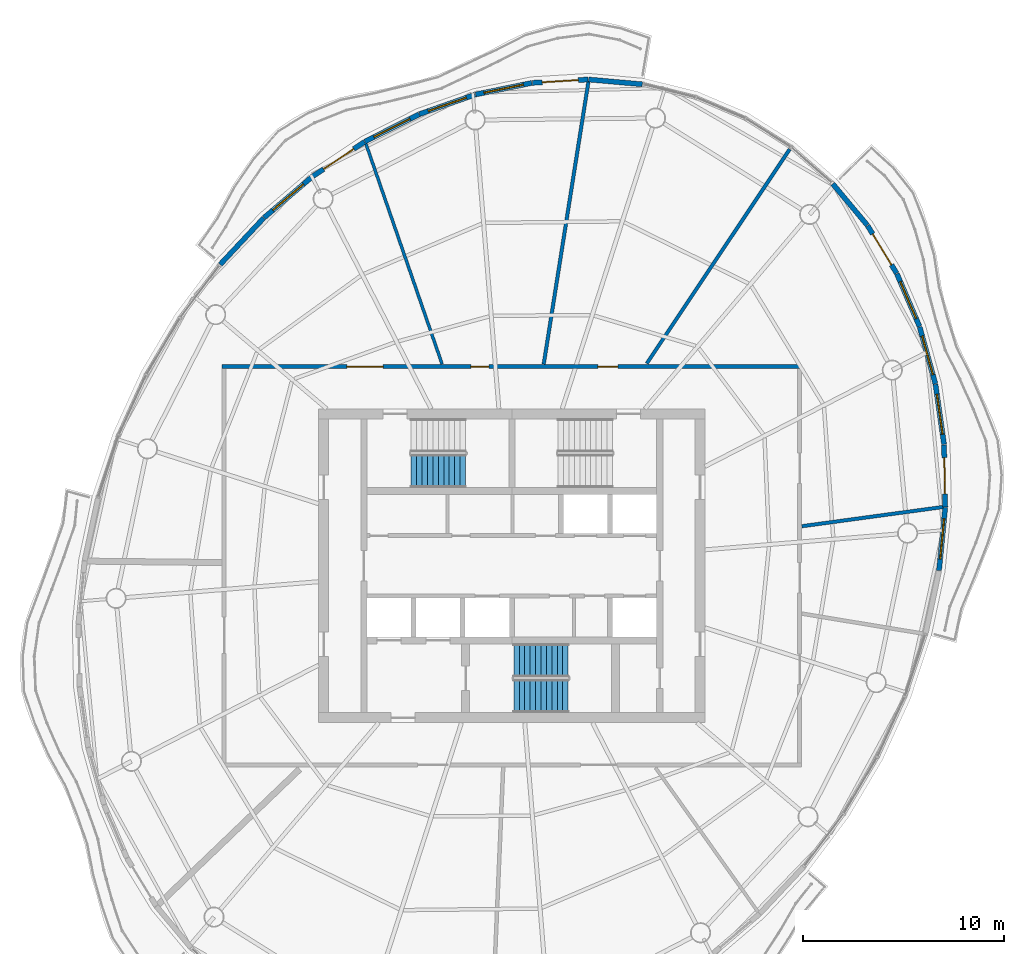
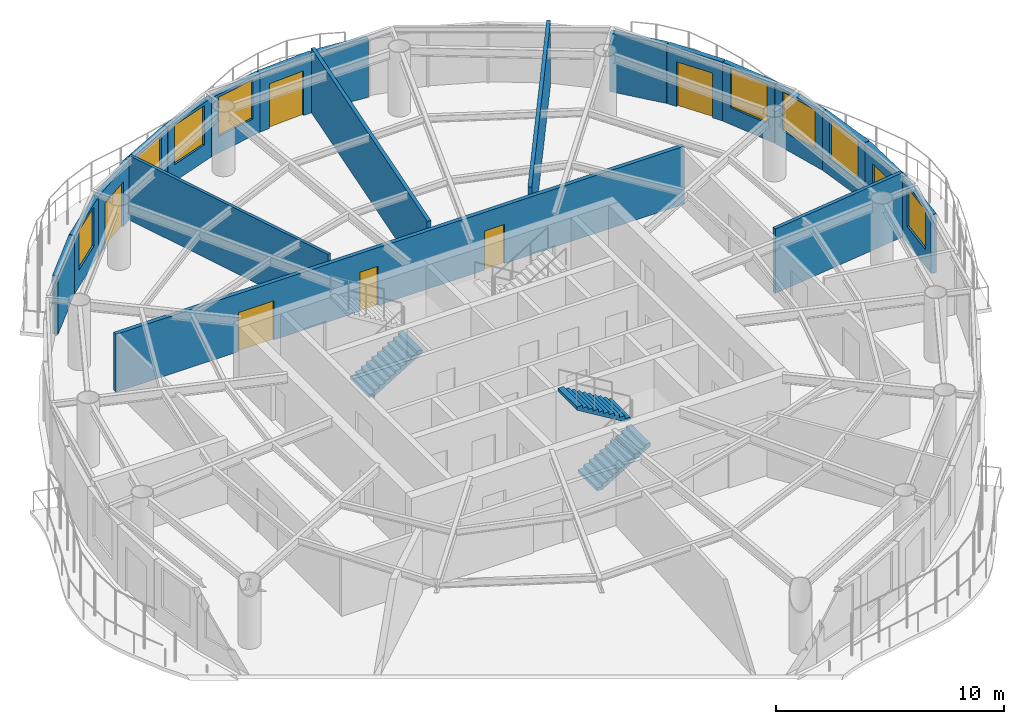
# One storey, part 9 of 13: 20 walls, 8 windows, 7 doors, 3 stair flights, 15 openings, 2 elements without a shape of their own.
"""IFC4 building model written with IfcOpenShell, lengths in metres."""

from ifc_helpers import new_model, si_unit, direction, frame, frame_2d, origin, place, context, subcontext, project, spatial, polyline, rectangle, outline, extrude, material, layer, layer_set, type_object, element, fill, aggregate, save


model = new_model("IFC4")

# Units and contexts
model_context = context("Model", 3, precision=1e-05, world=origin(), true_north=direction((0.0, 1.0)))
body_context = subcontext(model_context, "Body", "Model", "MODEL_VIEW")
ifc_project = project(units=[si_unit("LENGTHUNIT", "METRE"), si_unit("AREAUNIT", "SQUARE_METRE"), si_unit("VOLUMEUNIT", "CUBIC_METRE"), si_unit("PLANEANGLEUNIT", "RADIAN"), si_unit("MASSUNIT", "GRAM", prefix="KILO")], contexts=[model_context])

# Site, building, storey
site_placement = place(None, origin())
site = spatial("IfcSite", under=ifc_project, at=site_placement, CompositionType="ELEMENT")
building_placement = place(site_placement, origin())
building = spatial("IfcBuilding", under=site, at=building_placement, Name="Vermilion Reach Broadcast Tower", CompositionType="ELEMENT")
storey_placement = place(building_placement, frame((0.0, 0.0, 282.89990234375)))
storey = spatial("IfcBuildingStorey", under=building, at=storey_placement, Name="L70", CompositionType="ELEMENT", Elevation=282.89990234375)

# Walls
ifc_material_1 = material(Name="Lightweight concrete block, plastered", Category="concrete")
ifc_layer_1 = layer(ifc_material_1, 0.14990234375)
ifc_layer_set_1 = layer_set([ifc_layer_1], Name="Partition 150 lightweight block")
wall_type_1 = type_object("IfcWallType", Name="Partition 150 lightweight block", PredefinedType="PARTITIONING", material=ifc_layer_set_1)
wall_1_placement = place(storey_placement, frame((-13.248779296875, 20.96533203125, 0.0), z_axis=(0.0, 0.0, 1.0), x_axis=(0.32678024546, -0.945100349792, 0.0)))
element("IfcWall", 1, at=wall_1_placement, inside=storey, type_object=wall_type_1, Name="Partition 70.02", PredefinedType="PARTITIONING", context=body_context, shape_type="SweptSolid", body=[
    extrude(rectangle(XDim=11.576416015625, YDim=0.14990234375, at=frame_2d((5.7880859375, 0.0))), origin(), (0.0, 0.0, 1.0), 3.4501953125),
])
ifc_material_2 = material(Name="Fire-rated block, plastered")
ifc_layer_2 = layer(ifc_material_2, 0.175048828125)
ifc_layer_set_2 = layer_set([ifc_layer_2], Name="Partition 175 fire-rated block")
wall_type_2 = type_object("IfcWallType", Name="Partition 175 fire-rated block", PredefinedType="PARTITIONING", material=ifc_layer_set_2)
wall_2_placement = place(storey_placement, frame((-2.1962890625, 24.03759765625, 0.0), z_axis=(0.0, 0.0, 1.0), x_axis=(-0.156301629097, -0.987709370585, 0.0)))
element("IfcWall", 2, at=wall_2_placement, inside=storey, type_object=wall_type_2, Name="Partition 70.01", PredefinedType="PARTITIONING", context=body_context, shape_type="SweptSolid", body=[
    extrude(rectangle(XDim=14.198486328125, YDim=0.175048828125, at=frame_2d((7.09912109375, 0.0))), origin(), (0.0, 0.0, 1.0), 3.4501953125),
])
wall_3_placement = place(storey_placement, frame((15.412109375, 2.917724609375, 0.0), z_axis=(0.0, 0.0, 1.0), x_axis=(-0.99084383144, -0.135012968627, 0.0)))
element("IfcWall", 3, at=wall_3_placement, inside=storey, type_object=wall_type_2, Name="Partition 70.08", PredefinedType="PARTITIONING", context=body_context, shape_type="SweptSolid", body=[
    extrude(rectangle(XDim=7.06494140625, YDim=0.175048828125, at=frame_2d((3.532470703125, 0.0))), origin(), (0.0, 0.0, 1.0), 3.4501953125),
])
wall_4_placement = place(storey_placement, frame((7.806884765625, 20.697265625, 0.0), z_axis=(0.0, 0.0, 1.0), x_axis=(-0.55495104707, -0.83188300581, 0.0)))
element("IfcWall", 4, at=wall_4_placement, inside=storey, type_object=wall_type_2, Name="Partition 70.09", PredefinedType="PARTITIONING", context=body_context, shape_type="SweptSolid", body=[
    extrude(rectangle(XDim=12.80078125, YDim=0.175048828125, at=frame_2d((6.400390625, 0.0))), origin(), (0.0, 0.0, 1.0), 3.4501953125),
])
ifc_material_3 = material(Name="Terracotta rainscreen cladding", Category="masonry")
ifc_layer_3 = layer(ifc_material_3, 0.25)
ifc_layer_set_3 = layer_set([ifc_layer_3], Name="Terracotta rainscreen wall 250")
wall_type_3 = type_object("IfcWallType", Name="Terracotta rainscreen wall 250", PredefinedType="SOLIDWALL", material=ifc_layer_set_3)
wall_5_placement = place(storey_placement, frame((0.482177734375, 23.923828125, 0.0), z_axis=(0.0, 0.0, 1.0), x_axis=(-0.996046653752, 0.088831658488, 0.0)))
element("IfcWall", 5, at=wall_5_placement, inside=storey, type_object=wall_type_3, Name="External wall L70 02", PredefinedType="SOLIDWALL", context=body_context, shape_type="SweptSolid", body=[
    extrude(rectangle(XDim=2.674072265625, YDim=0.25, at=frame_2d((1.3369140625, 0.0))), origin(), (0.0, 0.0, 1.0), 3.150146484375),
])

# Wall, opening, door
wall_6_placement = place(storey_placement, frame((-2.207763671875, 24.161865234375, 0.0), z_axis=(0.0, 0.0, 1.0), x_axis=(-0.998195899902, -0.060041197678, 0.0)))
wall_6 = element("IfcWall", 6, at=wall_6_placement, inside=storey, type_object=wall_type_3, Name="External wall L70 03", PredefinedType="SOLIDWALL", context=body_context, shape_type="SweptSolid", body=[
    extrude(rectangle(XDim=2.77734375, YDim=0.25, at=frame_2d((1.388671875, 0.0))), origin(), (0.0, 0.0, 1.0), 3.150146484375),
])
opening_1_placement = place(wall_6_placement, frame((0.489013671875, 0.0, 0.0)))
opening_1 = element("IfcOpeningElement", 7, at=opening_1_placement, cuts=wall_6, Name="Opening D70", PredefinedType="OPENING", context=body_context, shape_type="SweptSolid", body=[
    extrude(rectangle(XDim=1.800048828125, YDim=2.39990234375, at=frame_2d((0.89990234375, 1.199951171875))), frame((0.0, 0.135009765625, 0.0), z_axis=(0.0, -1.0, 0.0), x_axis=(1.0, 0.0, 0.0)), (0.0, 0.0, 1.0), 0.27001953125),
])
ifc_material_4 = material(Name="Low-e laminated clear glass in aluminium frame", Category="aluminium")
door_type_1 = type_object("IfcDoorType", Name="Balcony sliding door 1800 x 2400", OperationType="DOUBLE_DOOR_SLIDING", PredefinedType="DOOR", material=ifc_material_4)
door_1_placement = place(opening_1_placement, origin())
door_1 = element("IfcDoor", 8, at=door_1_placement, inside=storey, type_object=door_type_1, Name="Balcony door L70 run 01", OperationType="DOUBLE_DOOR_SLIDING", OverallHeight=2.39990234375, OverallWidth=1.800048828125, PredefinedType="DOOR", context=body_context, shape_type="SweptSolid", body=[
    extrude(rectangle(XDim=1.800048828125, YDim=2.39990234375, at=frame_2d((0.89990234375, 1.199951171875))), frame((0.0, 0.02490234375, 0.0), z_axis=(0.0, -1.0, 0.0), x_axis=(1.0, 0.0, 0.0)), (0.0, 0.0, 1.0), 0.050048828125),
])
fill(opening_1, door_1)

# Wall, opening, window
wall_7_placement = place(storey_placement, frame((-5.005615234375, 23.991943359375, 0.0), z_axis=(0.0, 0.0, 1.0), x_axis=(-0.979580220635, -0.201053702627, 0.0)))
wall_7 = element("IfcWall", 9, at=wall_7_placement, inside=storey, type_object=wall_type_3, Name="External wall L70 04", PredefinedType="SOLIDWALL", context=body_context, shape_type="SweptSolid", body=[
    extrude(rectangle(XDim=2.85107421875, YDim=0.25, at=frame_2d((1.425537109375, 0.0))), origin(), (0.0, 0.0, 1.0), 3.150146484375),
])
opening_2_placement = place(wall_7_placement, frame((0.425537109375, 0.0, 0.89990234375)))
opening_2 = element("IfcOpeningElement", 10, at=opening_2_placement, cuts=wall_7, Name="Opening W03", PredefinedType="OPENING", context=body_context, shape_type="SweptSolid", body=[
    extrude(rectangle(XDim=2.0, YDim=2.10009765625, at=frame_2d((1.0, 1.050048828125))), frame((0.0, 0.135009765625, 0.0), z_axis=(0.0, -1.0, 0.0), x_axis=(1.0, 0.0, 0.0)), (0.0, 0.0, 1.0), 0.27001953125),
])
ifc_material_5 = material(Name="Low-e laminated clear glass in aluminium frame", Category="aluminium")
window_type = type_object("IfcWindowType", Name="Punched window 2000 x 2100 sill 900", PartitioningType="SINGLE_PANEL", PredefinedType="WINDOW", material=ifc_material_5)
window_1_placement = place(opening_2_placement, origin())
window_1 = element("IfcWindow", 11, at=window_1_placement, inside=storey, type_object=window_type, Name="Window L70 04", OverallHeight=2.10009765625, OverallWidth=2.0, PartitioningType="SINGLE_PANEL", PredefinedType="WINDOW", context=body_context, shape_type="SweptSolid", body=[
    extrude(rectangle(XDim=2.0, YDim=2.10009765625, at=frame_2d((1.0, 1.050048828125))), frame((0.0, 0.030029296875, 0.0), z_axis=(0.0, -1.0, 0.0), x_axis=(1.0, 0.0, 0.0)), (0.0, 0.0, 1.0), 0.06005859375),
])
fill(opening_2, window_1)

wall_8_placement = place(storey_placement, frame((-7.822509765625, 23.412109375, 0.0), z_axis=(0.0, 0.0, 1.0), x_axis=(-0.943550214261, -0.331229517355, 0.0)))
wall_8 = element("IfcWall", 12, at=wall_8_placement, inside=storey, type_object=wall_type_3, Name="External wall L70 05", PredefinedType="SOLIDWALL", context=body_context, shape_type="SweptSolid", body=[
    extrude(rectangle(XDim=2.931396484375, YDim=0.25, at=frame_2d((1.4658203125, 0.0))), origin(), (0.0, 0.0, 1.0), 3.150146484375),
])
opening_3_placement = place(wall_8_placement, frame((0.465576171875, 0.0, 0.89990234375)))
opening_3 = element("IfcOpeningElement", 13, at=opening_3_placement, cuts=wall_8, Name="Opening W03", PredefinedType="OPENING", context=body_context, shape_type="SweptSolid", body=[
    extrude(rectangle(XDim=2.0, YDim=2.10009765625, at=frame_2d((1.0, 1.050048828125))), frame((0.0, 0.135009765625, 0.0), z_axis=(0.0, -1.0, 0.0), x_axis=(1.0, 0.0, 0.0)), (0.0, 0.0, 1.0), 0.27001953125),
])
window_2_placement = place(opening_3_placement, origin())
window_2 = element("IfcWindow", 14, at=window_2_placement, inside=storey, type_object=window_type, Name="Window L70 05", OverallHeight=2.10009765625, OverallWidth=2.0, PartitioningType="SINGLE_PANEL", PredefinedType="WINDOW", context=body_context, shape_type="SweptSolid", body=[
    extrude(rectangle(XDim=2.0, YDim=2.10009765625, at=frame_2d((1.0, 1.050048828125))), frame((0.0, 0.030029296875, 0.0), z_axis=(0.0, -1.0, 0.0), x_axis=(1.0, 0.0, 0.0)), (0.0, 0.0, 1.0), 0.06005859375),
])
fill(opening_3, window_2)

wall_9_placement = place(storey_placement, frame((-10.6103515625, 22.431884765625, 0.0), z_axis=(0.0, 0.0, 1.0), x_axis=(-0.893387281144, -0.449287397875, 0.0)))
wall_9 = element("IfcWall", 15, at=wall_9_placement, inside=storey, type_object=wall_type_3, Name="External wall L70 06", PredefinedType="SOLIDWALL", context=body_context, shape_type="SweptSolid", body=[
    extrude(rectangle(XDim=3.011962890625, YDim=0.25, at=frame_2d((1.505859375, 0.0))), origin(), (0.0, 0.0, 1.0), 3.150146484375),
])
opening_4_placement = place(wall_9_placement, frame((0.505859375, 0.0, 0.89990234375)))
opening_4 = element("IfcOpeningElement", 16, at=opening_4_placement, cuts=wall_9, Name="Opening W03", PredefinedType="OPENING", context=body_context, shape_type="SweptSolid", body=[
    extrude(rectangle(XDim=2.0, YDim=2.10009765625, at=frame_2d((1.0, 1.050048828125))), frame((0.0, 0.135009765625, 0.0), z_axis=(0.0, -1.0, 0.0), x_axis=(1.0, 0.0, 0.0)), (0.0, 0.0, 1.0), 0.27001953125),
])
window_3_placement = place(opening_4_placement, origin())
window_3 = element("IfcWindow", 17, at=window_3_placement, inside=storey, type_object=window_type, Name="Window L70 06", OverallHeight=2.10009765625, OverallWidth=2.0, PartitioningType="SINGLE_PANEL", PredefinedType="WINDOW", context=body_context, shape_type="SweptSolid", body=[
    extrude(rectangle(XDim=2.0, YDim=2.10009765625, at=frame_2d((1.0, 1.050048828125))), frame((0.0, 0.030029296875, 0.0), z_axis=(0.0, -1.0, 0.0), x_axis=(1.0, 0.0, 0.0)), (0.0, 0.0, 1.0), 0.06005859375),
])
fill(opening_4, window_3)

# Wall, opening, door
wall_10_placement = place(storey_placement, frame((-13.3212890625, 21.06689453125, 0.0), z_axis=(0.0, 0.0, 1.0), x_axis=(-0.831965133189, -0.554827916707, 0.0)))
wall_10 = element("IfcWall", 18, at=wall_10_placement, inside=storey, type_object=wall_type_3, Name="External wall L70 07", PredefinedType="SOLIDWALL", context=body_context, shape_type="SweptSolid", body=[
    extrude(rectangle(XDim=3.087646484375, YDim=0.25, at=frame_2d((1.5439453125, 0.0))), origin(), (0.0, 0.0, 1.0), 3.150146484375),
])
opening_5_placement = place(wall_10_placement, frame((0.64404296875, 0.0, 0.0)))
opening_5 = element("IfcOpeningElement", 19, at=opening_5_placement, cuts=wall_10, Name="Opening D70", PredefinedType="OPENING", context=body_context, shape_type="SweptSolid", body=[
    extrude(rectangle(XDim=1.800048828125, YDim=2.39990234375, at=frame_2d((0.89990234375, 1.199951171875))), frame((0.0, 0.135009765625, 0.0), z_axis=(0.0, -1.0, 0.0), x_axis=(1.0, 0.0, 0.0)), (0.0, 0.0, 1.0), 0.27001953125),
])
door_2_placement = place(opening_5_placement, origin())
door_2 = element("IfcDoor", 20, at=door_2_placement, inside=storey, type_object=door_type_1, Name="Balcony door L70 run 02", OperationType="DOUBLE_DOOR_SLIDING", OverallHeight=2.39990234375, OverallWidth=1.800048828125, PredefinedType="DOOR", context=body_context, shape_type="SweptSolid", body=[
    extrude(rectangle(XDim=1.800048828125, YDim=2.39990234375, at=frame_2d((0.89990234375, 1.199951171875))), frame((0.0, 0.02490234375, 0.0), z_axis=(0.0, -1.0, 0.0), x_axis=(1.0, 0.0, 0.0)), (0.0, 0.0, 1.0), 0.050048828125),
])
fill(opening_5, door_2)

# Wall, opening, window
wall_11_placement = place(storey_placement, frame((-15.908203125, 19.340087890625, 0.0), z_axis=(0.0, 0.0, 1.0), x_axis=(-0.761601165005, -0.64804603653, 0.0)))
wall_11 = element("IfcWall", 21, at=wall_11_placement, inside=storey, type_object=wall_type_3, Name="External wall L70 08", PredefinedType="SOLIDWALL", context=body_context, shape_type="SweptSolid", body=[
    extrude(rectangle(XDim=3.154052734375, YDim=0.25, at=frame_2d((1.5771484375, 0.0))), origin(), (0.0, 0.0, 1.0), 3.150146484375),
])
opening_6_placement = place(wall_11_placement, frame((0.5771484375, 0.0, 0.89990234375)))
opening_6 = element("IfcOpeningElement", 22, at=opening_6_placement, cuts=wall_11, Name="Opening W03", PredefinedType="OPENING", context=body_context, shape_type="SweptSolid", body=[
    extrude(rectangle(XDim=2.0, YDim=2.10009765625, at=frame_2d((1.0, 1.050048828125))), frame((0.0, 0.135009765625, 0.0), z_axis=(0.0, -1.0, 0.0), x_axis=(1.0, 0.0, 0.0)), (0.0, 0.0, 1.0), 0.27001953125),
])
window_4_placement = place(opening_6_placement, origin())
window_4 = element("IfcWindow", 23, at=window_4_placement, inside=storey, type_object=window_type, Name="Window L70 08", OverallHeight=2.10009765625, OverallWidth=2.0, PartitioningType="SINGLE_PANEL", PredefinedType="WINDOW", context=body_context, shape_type="SweptSolid", body=[
    extrude(rectangle(XDim=2.0, YDim=2.10009765625, at=frame_2d((1.0, 1.050048828125))), frame((0.0, 0.030029296875, 0.0), z_axis=(0.0, -1.0, 0.0), x_axis=(1.0, 0.0, 0.0)), (0.0, 0.0, 1.0), 0.06005859375),
])
fill(opening_6, window_4)

# Wall
wall_12_placement = place(storey_placement, frame((-18.326416015625, 17.281005859375, 0.0), z_axis=(0.0, 0.0, 1.0), x_axis=(-0.683771659003, -0.729696045176, 0.0)))
element("IfcWall", 24, at=wall_12_placement, inside=storey, type_object=wall_type_3, Name="External wall L70 09", PredefinedType="SOLIDWALL", context=body_context, shape_type="SweptSolid", body=[
    extrude(rectangle(XDim=3.1630859375, YDim=0.25, at=frame_2d((1.58154296875, 0.0))), origin(), (0.0, 0.0, 1.0), 3.150146484375),
])

# Wall, opening, window
wall_13_placement = place(storey_placement, frame((15.228271484375, -0.237548828125, 0.0), z_axis=(0.0, 0.0, 1.0), x_axis=(0.097526326892, 0.995232945377, 0.0)))
wall_13 = element("IfcWall", 25, at=wall_13_placement, inside=storey, type_object=wall_type_3, Name="External wall L70 39", PredefinedType="SOLIDWALL", context=body_context, shape_type="SweptSolid", body=[
    extrude(rectangle(XDim=3.154296875, YDim=0.25, at=frame_2d((1.5771484375, 0.0))), origin(), (0.0, 0.0, 1.0), 3.150146484375),
])
opening_7_placement = place(wall_13_placement, frame((0.5771484375, 0.0, 0.89990234375)))
opening_7 = element("IfcOpeningElement", 26, at=opening_7_placement, cuts=wall_13, Name="Opening W03", PredefinedType="OPENING", context=body_context, shape_type="SweptSolid", body=[
    extrude(rectangle(XDim=2.0, YDim=2.10009765625, at=frame_2d((1.0, 1.050048828125))), frame((0.0, 0.135009765625, 0.0), z_axis=(0.0, -1.0, 0.0), x_axis=(1.0, 0.0, 0.0)), (0.0, 0.0, 1.0), 0.27001953125),
])
window_5_placement = place(opening_7_placement, origin())
window_5 = element("IfcWindow", 27, at=window_5_placement, inside=storey, type_object=window_type, Name="Window L70 39", OverallHeight=2.10009765625, OverallWidth=2.0, PartitioningType="SINGLE_PANEL", PredefinedType="WINDOW", context=body_context, shape_type="SweptSolid", body=[
    extrude(rectangle(XDim=2.0, YDim=2.10009765625, at=frame_2d((1.0, 1.050048828125))), frame((0.0, 0.030029296875, 0.0), z_axis=(0.0, -1.0, 0.0), x_axis=(1.0, 0.0, 0.0)), (0.0, 0.0, 1.0), 0.06005859375),
])
fill(opening_7, window_5)

# Wall, opening, door
wall_14_placement = place(storey_placement, frame((15.536865234375, 2.924072265625, 0.0), z_axis=(0.0, 0.0, 1.0), x_axis=(-0.019213534435, 0.999815403009, 0.0)))
wall_14 = element("IfcWall", 28, at=wall_14_placement, inside=storey, type_object=wall_type_3, Name="External wall L70 40", PredefinedType="SOLIDWALL", context=body_context, shape_type="SweptSolid", body=[
    extrude(rectangle(XDim=3.087646484375, YDim=0.25, at=frame_2d((1.5439453125, 0.0))), origin(), (0.0, 0.0, 1.0), 3.150146484375),
])
opening_8_placement = place(wall_14_placement, frame((0.64404296875, 0.0, 0.0)))
opening_8 = element("IfcOpeningElement", 29, at=opening_8_placement, cuts=wall_14, Name="Opening D70", PredefinedType="OPENING", context=body_context, shape_type="SweptSolid", body=[
    extrude(rectangle(XDim=1.800048828125, YDim=2.39990234375, at=frame_2d((0.89990234375, 1.199951171875))), frame((0.0, 0.135009765625, 0.0), z_axis=(0.0, -1.0, 0.0), x_axis=(1.0, 0.0, 0.0)), (0.0, 0.0, 1.0), 0.27001953125),
])
door_3_placement = place(opening_8_placement, origin())
door_3 = element("IfcDoor", 30, at=door_3_placement, inside=storey, type_object=door_type_1, Name="Balcony door L70 run 10", OperationType="DOUBLE_DOOR_SLIDING", OverallHeight=2.39990234375, OverallWidth=1.800048828125, PredefinedType="DOOR", context=body_context, shape_type="SweptSolid", body=[
    extrude(rectangle(XDim=1.800048828125, YDim=2.39990234375, at=frame_2d((0.89990234375, 1.199951171875))), frame((0.0, 0.02490234375, 0.0), z_axis=(0.0, -1.0, 0.0), x_axis=(1.0, 0.0, 0.0)), (0.0, 0.0, 1.0), 0.050048828125),
])
fill(opening_8, door_3)

# Wall, opening, window
wall_15_placement = place(storey_placement, frame((15.4755859375, 6.034423828125, 0.0), z_axis=(0.0, 0.0, 1.0), x_axis=(-0.140956080181, 0.990015850105, 0.0)))
wall_15 = element("IfcWall", 31, at=wall_15_placement, inside=storey, type_object=wall_type_3, Name="External wall L70 41", PredefinedType="SOLIDWALL", context=body_context, shape_type="SweptSolid", body=[
    extrude(rectangle(XDim=3.011962890625, YDim=0.25, at=frame_2d((1.505859375, 0.0))), origin(), (0.0, 0.0, 1.0), 3.150146484375),
])
opening_9_placement = place(wall_15_placement, frame((0.505859375, 0.0, 0.89990234375)))
opening_9 = element("IfcOpeningElement", 32, at=opening_9_placement, cuts=wall_15, Name="Opening W03", PredefinedType="OPENING", context=body_context, shape_type="SweptSolid", body=[
    extrude(rectangle(XDim=2.0, YDim=2.10009765625, at=frame_2d((1.0, 1.050048828125))), frame((0.0, 0.135009765625, 0.0), z_axis=(0.0, -1.0, 0.0), x_axis=(1.0, 0.0, 0.0)), (0.0, 0.0, 1.0), 0.27001953125),
])
window_6_placement = place(opening_9_placement, origin())
window_6 = element("IfcWindow", 33, at=window_6_placement, inside=storey, type_object=window_type, Name="Window L70 41", OverallHeight=2.10009765625, OverallWidth=2.0, PartitioningType="SINGLE_PANEL", PredefinedType="WINDOW", context=body_context, shape_type="SweptSolid", body=[
    extrude(rectangle(XDim=2.0, YDim=2.10009765625, at=frame_2d((1.0, 1.050048828125))), frame((0.0, 0.030029296875, 0.0), z_axis=(0.0, -1.0, 0.0), x_axis=(1.0, 0.0, 0.0)), (0.0, 0.0, 1.0), 0.06005859375),
])
fill(opening_9, window_6)

wall_16_placement = place(storey_placement, frame((15.046142578125, 9.039794921875, 0.0), z_axis=(0.0, 0.0, 1.0), x_axis=(-0.266526791612, 0.963827510166, 0.0)))
wall_16 = element("IfcWall", 34, at=wall_16_placement, inside=storey, type_object=wall_type_3, Name="External wall L70 42", PredefinedType="SOLIDWALL", context=body_context, shape_type="SweptSolid", body=[
    extrude(rectangle(XDim=2.93115234375, YDim=0.25, at=frame_2d((1.465576171875, 0.0))), origin(), (0.0, 0.0, 1.0), 3.150146484375),
])
opening_10_placement = place(wall_16_placement, frame((0.465576171875, 0.0, 0.89990234375)))
opening_10 = element("IfcOpeningElement", 35, at=opening_10_placement, cuts=wall_16, Name="Opening W03", PredefinedType="OPENING", context=body_context, shape_type="SweptSolid", body=[
    extrude(rectangle(XDim=2.0, YDim=2.10009765625, at=frame_2d((1.0, 1.050048828125))), frame((0.0, 0.135009765625, 0.0), z_axis=(0.0, -1.0, 0.0), x_axis=(1.0, 0.0, 0.0)), (0.0, 0.0, 1.0), 0.27001953125),
])
window_7_placement = place(opening_10_placement, origin())
window_7 = element("IfcWindow", 36, at=window_7_placement, inside=storey, type_object=window_type, Name="Window L70 42", OverallHeight=2.10009765625, OverallWidth=2.0, PartitioningType="SINGLE_PANEL", PredefinedType="WINDOW", context=body_context, shape_type="SweptSolid", body=[
    extrude(rectangle(XDim=2.0, YDim=2.10009765625, at=frame_2d((1.0, 1.050048828125))), frame((0.0, 0.030029296875, 0.0), z_axis=(0.0, -1.0, 0.0), x_axis=(1.0, 0.0, 0.0)), (0.0, 0.0, 1.0), 0.06005859375),
])
fill(opening_10, window_7)

wall_17_placement = place(storey_placement, frame((14.2568359375, 11.888427734375, 0.0), z_axis=(0.0, 0.0, 1.0), x_axis=(-0.394043302687, 0.919091875499, 0.0)))
wall_17 = element("IfcWall", 37, at=wall_17_placement, inside=storey, type_object=wall_type_3, Name="External wall L70 43", PredefinedType="SOLIDWALL", context=body_context, shape_type="SweptSolid", body=[
    extrude(rectangle(XDim=2.851318359375, YDim=0.25, at=frame_2d((1.42578125, 0.0))), origin(), (0.0, 0.0, 1.0), 3.150146484375),
])
opening_11_placement = place(wall_17_placement, frame((0.425537109375, 0.0, 0.89990234375)))
opening_11 = element("IfcOpeningElement", 38, at=opening_11_placement, cuts=wall_17, Name="Opening W03", PredefinedType="OPENING", context=body_context, shape_type="SweptSolid", body=[
    extrude(rectangle(XDim=2.0, YDim=2.10009765625, at=frame_2d((1.0, 1.050048828125))), frame((0.0, 0.135009765625, 0.0), z_axis=(0.0, -1.0, 0.0), x_axis=(1.0, 0.0, 0.0)), (0.0, 0.0, 1.0), 0.27001953125),
])
window_8_placement = place(opening_11_placement, origin())
window_8 = element("IfcWindow", 39, at=window_8_placement, inside=storey, type_object=window_type, Name="Window L70 43", OverallHeight=2.10009765625, OverallWidth=2.0, PartitioningType="SINGLE_PANEL", PredefinedType="WINDOW", context=body_context, shape_type="SweptSolid", body=[
    extrude(rectangle(XDim=2.0, YDim=2.10009765625, at=frame_2d((1.0, 1.050048828125))), frame((0.0, 0.030029296875, 0.0), z_axis=(0.0, -1.0, 0.0), x_axis=(1.0, 0.0, 0.0)), (0.0, 0.0, 1.0), 0.06005859375),
])
fill(opening_11, window_8)

# Wall, opening, door
wall_18_placement = place(storey_placement, frame((13.12158203125, 14.531982421875, 0.0), z_axis=(0.0, 0.0, 1.0), x_axis=(-0.520443293114, 0.853896234125, 0.0)))
wall_18 = element("IfcWall", 40, at=wall_18_placement, inside=storey, type_object=wall_type_3, Name="External wall L70 44", PredefinedType="SOLIDWALL", context=body_context, shape_type="SweptSolid", body=[
    extrude(rectangle(XDim=2.777099609375, YDim=0.25, at=frame_2d((1.388671875, 0.0))), origin(), (0.0, 0.0, 1.0), 3.150146484375),
])
opening_12_placement = place(wall_18_placement, frame((0.489013671875, 0.0, 0.0)))
opening_12 = element("IfcOpeningElement", 41, at=opening_12_placement, cuts=wall_18, Name="Opening D70", PredefinedType="OPENING", context=body_context, shape_type="SweptSolid", body=[
    extrude(rectangle(XDim=1.800048828125, YDim=2.39990234375, at=frame_2d((0.89990234375, 1.199951171875))), frame((0.0, 0.135009765625, 0.0), z_axis=(0.0, -1.0, 0.0), x_axis=(1.0, 0.0, 0.0)), (0.0, 0.0, 1.0), 0.27001953125),
])
door_4_placement = place(opening_12_placement, origin())
door_4 = element("IfcDoor", 42, at=door_4_placement, inside=storey, type_object=door_type_1, Name="Balcony door L70 run 11", OperationType="DOUBLE_DOOR_SLIDING", OverallHeight=2.39990234375, OverallWidth=1.800048828125, PredefinedType="DOOR", context=body_context, shape_type="SweptSolid", body=[
    extrude(rectangle(XDim=1.800048828125, YDim=2.39990234375, at=frame_2d((0.89990234375, 1.199951171875))), frame((0.0, 0.02490234375, 0.0), z_axis=(0.0, -1.0, 0.0), x_axis=(1.0, 0.0, 0.0)), (0.0, 0.0, 1.0), 0.050048828125),
])
fill(opening_12, door_4)

# Wall
wall_19_placement = place(storey_placement, frame((11.660888671875, 16.925048828125, 0.0), z_axis=(0.0, 0.0, 1.0), x_axis=(-0.641449708793, 0.767165087246, 0.0)))
element("IfcWall", 43, at=wall_19_placement, inside=storey, type_object=wall_type_3, Name="External wall L70 45", PredefinedType="SOLIDWALL", context=body_context, shape_type="SweptSolid", body=[
    extrude(rectangle(XDim=2.674072265625, YDim=0.25, at=frame_2d((1.3369140625, 0.0))), origin(), (0.0, 0.0, 1.0), 3.150146484375),
])

# Wall, openings, doors
ifc_material_6 = material(Name="Fire-rated gypsum board partition")
ifc_layer_4 = layer(ifc_material_6, 0.199951171875)
ifc_layer_set_4 = layer_set([ifc_layer_4], Name="Under girder: Corridor wall 200 fire-rated")
wall_type_4 = type_object("IfcWallType", Name="Under girder: Corridor wall 200 fire-rated", PredefinedType="PARTITIONING", material=ifc_layer_set_4)
wall_20_placement = place(storey_placement, frame((-20.39990234375, 9.89990234375, 0.0), z_axis=(0.0, 0.0, 1.0), x_axis=(1.0, 0.0, 0.0)))
wall_20 = element("IfcWall", 44, at=wall_20_placement, inside=storey, type_object=wall_type_4, Name="Corridor wall 70.N", PredefinedType="PARTITIONING", context=body_context, shape_type="SweptSolid", body=[
    extrude(rectangle(XDim=28.7998046875, YDim=0.199951171875, at=frame_2d((14.39990234375, 0.0))), origin(), (0.0, 0.0, 1.0), 3.10009765625),
])
opening_13_placement = place(wall_20_placement, frame((12.359619140625, 0.0, 0.0)))
opening_13 = element("IfcOpeningElement", 45, at=opening_13_placement, cuts=wall_20, Name="Opening D22", PredefinedType="OPENING", context=body_context, shape_type="SweptSolid", body=[
    extrude(rectangle(XDim=0.89990234375, YDim=2.10009765625, at=frame_2d((0.449951171875, 1.050048828125))), frame((0.0, 0.10986328125, 0.0), z_axis=(0.0, -1.0, 0.0), x_axis=(1.0, 0.0, 0.0)), (0.0, 0.0, 1.0), 0.219970703125),
])
opening_14_placement = place(wall_20_placement, frame((6.19970703125, 0.0, 0.0)))
opening_14 = element("IfcOpeningElement", 46, at=opening_14_placement, cuts=wall_20, Name="Opening D21", PredefinedType="OPENING", context=body_context, shape_type="SweptSolid", body=[
    extrude(rectangle(XDim=1.800048828125, YDim=2.10009765625, at=frame_2d((0.89990234375, 1.050048828125))), frame((0.0, 0.10986328125, 0.0), z_axis=(0.0, -1.0, 0.0), x_axis=(1.0, 0.0, 0.0)), (0.0, 0.0, 1.0), 0.219970703125),
])
opening_15_placement = place(wall_20_placement, frame((18.66943359375, 0.0, 0.0)))
opening_15 = element("IfcOpeningElement", 47, at=opening_15_placement, cuts=wall_20, Name="Opening D20", PredefinedType="OPENING", context=body_context, shape_type="SweptSolid", body=[
    extrude(rectangle(XDim=1.0, YDim=2.10009765625, at=frame_2d((0.5, 1.050048828125))), frame((0.0, 0.10986328125, 0.0), z_axis=(0.0, -1.0, 0.0), x_axis=(1.0, 0.0, 0.0)), (0.0, 0.0, 1.0), 0.219970703125),
])
ifc_material_7 = material(Name="Timber door leaf", Category="wood")
door_type_2 = type_object("IfcDoorType", Name="Door pair 1800x2100", OperationType="NOTDEFINED", PredefinedType="DOOR", material=ifc_material_7)
door_5_placement = place(opening_14_placement, origin())
door_5 = element("IfcDoor", 48, at=door_5_placement, inside=storey, type_object=door_type_2, Name="Door 70.02", OperationType="DOUBLE_DOOR_SINGLE_SWING", OverallHeight=2.10009765625, OverallWidth=1.800048828125, PredefinedType="DOOR", context=body_context, shape_type="SweptSolid", body=[
    extrude(rectangle(XDim=1.800048828125, YDim=2.10009765625, at=frame_2d((0.89990234375, 1.050048828125))), frame((0.0, 0.02490234375, 0.0), z_axis=(0.0, -1.0, 0.0), x_axis=(1.0, 0.0, 0.0)), (0.0, 0.0, 1.0), 0.050048828125),
])
fill(opening_14, door_5)
ifc_material_8 = material(Name="Timber door leaf", Category="wood")
door_type_3 = type_object("IfcDoorType", Name="Door single 1000x2100", OperationType="NOTDEFINED", PredefinedType="DOOR", material=ifc_material_8)
door_6_placement = place(opening_15_placement, origin())
door_6 = element("IfcDoor", 49, at=door_6_placement, inside=storey, type_object=door_type_3, Name="Door 70.09", OperationType="SINGLE_SWING_RIGHT", OverallHeight=2.10009765625, OverallWidth=1.0, PredefinedType="DOOR", context=body_context, shape_type="SweptSolid", body=[
    extrude(rectangle(XDim=1.0, YDim=2.10009765625, at=frame_2d((0.5, 1.050048828125))), frame((0.0, 0.02490234375, 0.0), z_axis=(0.0, -1.0, 0.0), x_axis=(1.0, 0.0, 0.0)), (0.0, 0.0, 1.0), 0.050048828125),
])
fill(opening_15, door_6)
ifc_material_9 = material(Name="Timber door leaf", Category="wood")
door_type_4 = type_object("IfcDoorType", Name="Door single 900x2100", OperationType="NOTDEFINED", PredefinedType="DOOR", material=ifc_material_9)
door_7_placement = place(opening_13_placement, origin())
door_7 = element("IfcDoor", 50, at=door_7_placement, inside=storey, type_object=door_type_4, Name="Door 70.01", OperationType="SINGLE_SWING_LEFT", OverallHeight=2.10009765625, OverallWidth=0.89990234375, PredefinedType="DOOR", context=body_context, shape_type="SweptSolid", body=[
    extrude(rectangle(XDim=0.89990234375, YDim=2.10009765625, at=frame_2d((0.449951171875, 1.050048828125))), frame((0.0, 0.02490234375, 0.0), z_axis=(0.0, -1.0, 0.0), x_axis=(1.0, 0.0, 0.0)), (0.0, 0.0, 1.0), 0.050048828125),
])
fill(opening_13, door_7)

# Stair, stair flight
ifc_material_10 = material(Name="Concrete C40", Category="concrete")
stair_type = type_object("IfcStairType", Name="Exit stair RC 22 risers 164 mm", PredefinedType="HALF_TURN_STAIR", material=ifc_material_10)
placement = place(storey_placement, origin())
stair_1 = element("IfcStair", 51, at=placement, inside=storey, type_object=stair_type, Name="L70 Exit stair ST1", PredefinedType="HALF_TURN_STAIR")
ifc_material_11 = material(Name="Concrete C40", Category="concrete")
stair_flight_type = type_object("IfcStairFlightType", Name="Exit stair flight RC 11 risers", PredefinedType="STRAIGHT", material=ifc_material_11)
stair_flight_1_placement = place(storey_placement, frame((-11.0, 4.7099609375, 0.0), z_axis=(0.0, 0.0, 1.0), x_axis=(1.0, 0.0, 0.0)))
stair_flight_1 = element("IfcStairFlight", 52, at=stair_flight_1_placement, type_object=stair_flight_type, Name="ST1 flight 1", NumberOfRisers=11, NumberOfTreads=10, PredefinedType="STRAIGHT", RiserHeight=0.163636364, TreadLength=0.27, context=body_context, shape_type="SweptSolid", body=[
    extrude(outline(polyline([(0.0, 0.0), (0.0, 0.16357421875), (0.27001953125, 0.16357421875), (0.27001953125, 0.327392578125), (0.5400390625, 0.327392578125), (0.5400390625, 0.490966796875), (0.81005859375, 0.490966796875), (0.81005859375, 0.654541015625), (1.080078125, 0.654541015625), (1.080078125, 0.818115234375), (1.35009765625, 0.818115234375), (1.35009765625, 0.98193359375), (1.6201171875, 0.98193359375), (1.6201171875, 1.1455078125), (1.889892578125, 1.1455078125), (1.889892578125, 1.30908203125), (2.159912109375, 1.30908203125), (2.159912109375, 1.47265625), (2.429931640625, 1.47265625), (2.429931640625, 1.636474609375), (2.699951171875, 1.636474609375), (2.699951171875, 1.800048828125), (2.699951171875, 1.461181640625), (0.289306640625, 0.0), (0.0, 0.0)])), frame((0.0, 0.830078125, 0.0), z_axis=(0.0, -1.0, 0.0), x_axis=(1.0, 0.0, 0.0)), (0.0, 0.0, 1.0), 1.659912109375),
])
aggregate(stair_1, [stair_flight_1])

# Stair, stair flights
stair_2 = element("IfcStair", 53, at=placement, inside=storey, type_object=stair_type, Name="L70 Exit stair ST3", PredefinedType="HALF_TURN_STAIR")
stair_flight_2_placement = place(storey_placement, frame((-5.89990234375, -6.469970703125, 0.0), z_axis=(0.0, 0.0, 1.0), x_axis=(1.0, 0.0, 0.0)))
stair_flight_2 = element("IfcStairFlight", 54, at=stair_flight_2_placement, type_object=stair_flight_type, Name="ST3 flight 1", NumberOfRisers=11, NumberOfTreads=10, PredefinedType="STRAIGHT", RiserHeight=0.163636364, TreadLength=0.27, context=body_context, shape_type="SweptSolid", body=[
    extrude(outline(polyline([(0.0, 0.0), (0.0, 0.16357421875), (0.27001953125, 0.16357421875), (0.27001953125, 0.327392578125), (0.5400390625, 0.327392578125), (0.5400390625, 0.490966796875), (0.81005859375, 0.490966796875), (0.81005859375, 0.654541015625), (1.080078125, 0.654541015625), (1.080078125, 0.818115234375), (1.35009765625, 0.818115234375), (1.35009765625, 0.98193359375), (1.6201171875, 0.98193359375), (1.6201171875, 1.1455078125), (1.889892578125, 1.1455078125), (1.889892578125, 1.30908203125), (2.159912109375, 1.30908203125), (2.159912109375, 1.47265625), (2.429931640625, 1.47265625), (2.429931640625, 1.636474609375), (2.699951171875, 1.636474609375), (2.699951171875, 1.800048828125), (2.699951171875, 1.461181640625), (0.289306640625, 0.0), (0.0, 0.0)])), frame((0.0, 0.830078125, 0.0), z_axis=(0.0, -1.0, 0.0), x_axis=(1.0, 0.0, 0.0)), (0.0, 0.0, 1.0), 1.659912109375),
])
stair_flight_3_placement = place(storey_placement, frame((-3.199951171875, -4.7099609375, 1.800048828125), z_axis=(0.0, 0.0, 1.0), x_axis=(-1.0, 0.0, 0.0)))
stair_flight_3 = element("IfcStairFlight", 55, at=stair_flight_3_placement, type_object=stair_flight_type, Name="ST3 flight 2", NumberOfRisers=11, NumberOfTreads=10, PredefinedType="STRAIGHT", RiserHeight=0.163636364, TreadLength=0.27, context=body_context, shape_type="SweptSolid", body=[
    extrude(outline(polyline([(0.0, 0.0), (0.0, 0.16357421875), (0.27001953125, 0.16357421875), (0.27001953125, 0.327392578125), (0.5400390625, 0.327392578125), (0.5400390625, 0.490966796875), (0.81005859375, 0.490966796875), (0.81005859375, 0.654541015625), (1.080078125, 0.654541015625), (1.080078125, 0.818115234375), (1.35009765625, 0.818115234375), (1.35009765625, 0.98193359375), (1.6201171875, 0.98193359375), (1.6201171875, 1.1455078125), (1.889892578125, 1.1455078125), (1.889892578125, 1.30908203125), (2.159912109375, 1.30908203125), (2.159912109375, 1.47265625), (2.429931640625, 1.47265625), (2.429931640625, 1.636474609375), (2.699951171875, 1.636474609375), (2.699951171875, 1.800048828125), (2.699951171875, 1.461181640625), (0.289306640625, 0.0), (0.0, 0.0)])), frame((0.0, 0.830078125, 0.0), z_axis=(0.0, -1.0, 0.0), x_axis=(1.0, 0.0, 0.0)), (0.0, 0.0, 1.0), 1.659912109375),
])
aggregate(stair_2, [stair_flight_2, stair_flight_3])

save(model, "model.ifc")
